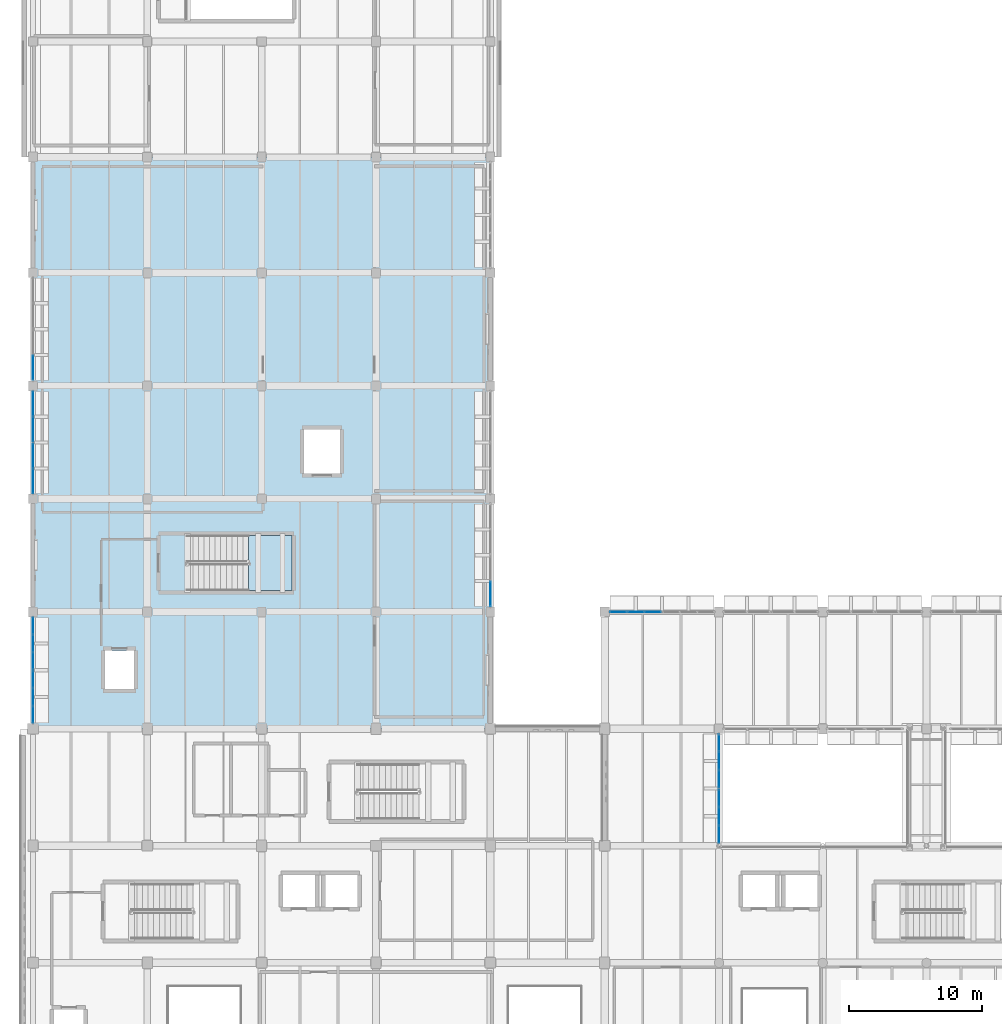
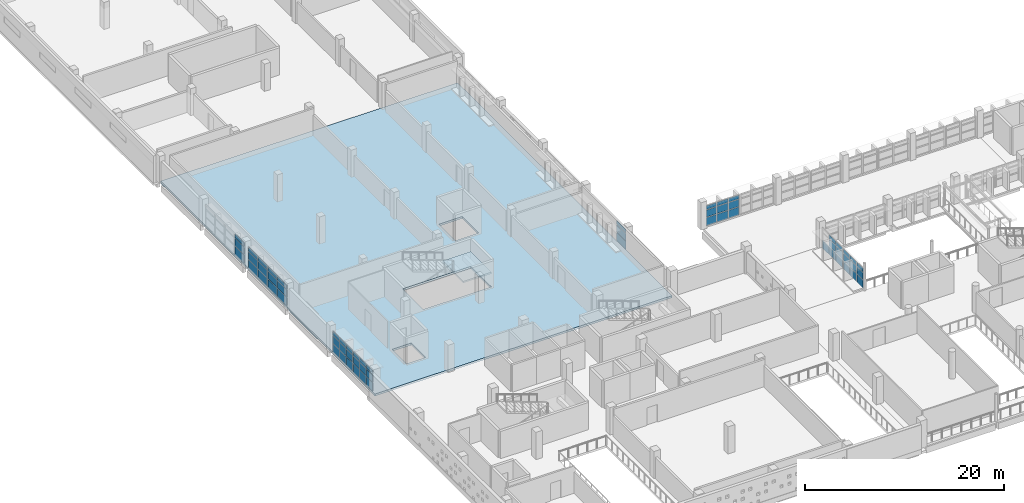
# One storey, part 46 of 75: 61 plates, 2 slabs, 10 elements without a shape of their own.
"""IFC4 building model written with IfcOpenShell, lengths in metres."""

from ifc_helpers import new_model, si_unit, direction, frame, origin, origin_2d, place, context, subcontext, project, spatial, polyline, rectangle, outline, extrude, material, layer, layer_set, type_object, element, aggregate, save


model = new_model("IFC4")

# Units and contexts
model_context = context("Model", 3, precision=1e-05, world=origin(), true_north=direction((0.0, 1.0)))
body_context = subcontext(model_context, "Body", "Model", "MODEL_VIEW")
ifc_project = project(units=[si_unit("LENGTHUNIT", "METRE"), si_unit("AREAUNIT", "SQUARE_METRE"), si_unit("VOLUMEUNIT", "CUBIC_METRE"), si_unit("PLANEANGLEUNIT", "RADIAN"), si_unit("MASSUNIT", "GRAM", prefix="KILO")], contexts=[model_context])

# Site, building, storey
site_placement = place(None, origin())
site = spatial("IfcSite", under=ifc_project, at=site_placement, CompositionType="ELEMENT")
building_placement = place(site_placement, origin())
building = spatial("IfcBuilding", under=site, at=building_placement, Name="Varnakota Cinema and Media Centre", CompositionType="ELEMENT")
storey_placement = place(building_placement, frame((0.0, 0.0, 8.39990234375)))
storey = spatial("IfcBuildingStorey", under=building, at=storey_placement, Name="L02", CompositionType="ELEMENT", Elevation=8.39990234375)

# Curtain wall, plates
ifc_material_1 = material(Name="Thermally broken anodised aluminium AW-6063", Category="aluminium")
curtain_wall_type_1 = type_object("IfcCurtainWallType", Name="CW-STD-394x258", PredefinedType="USERDEFINED", material=ifc_material_1)
curtain_wall_1_placement = place(storey_placement, origin())
curtain_wall_1 = element("IfcCurtainWall", 1, at=curtain_wall_1_placement, inside=storey, type_object=curtain_wall_type_1, Name="L02 curtain wall CW-L02-LINK-N-01-1", ObjectType="UNITISED CURTAIN WALL", PredefinedType="USERDEFINED")
ifc_material_2 = material(Name="Laminated solar-control double glazing", Category="glass")
ifc_layer_1 = layer(ifc_material_2, 0.028076171875)
ifc_layer_set_1 = layer_set([ifc_layer_1], Name="Laminated solar-control double glazing")
plate_type = type_object("IfcPlateType", Name="CWP-DGU-28", PredefinedType="CURTAIN_PANEL", material=ifc_layer_set_1)
plate_1_placement = place(storey_placement, frame((44.0234375, 44.0, 0.065185546875), z_axis=(0.0, 0.0, 1.0), x_axis=(1.0, 0.0, 0.0)))
plate_1 = element("IfcPlate", 2, at=plate_1_placement, type_object=plate_type, Name="CW30 panel 1.1", PredefinedType="CURTAIN_PANEL", context=body_context, shape_type="SweptSolid", body=[
    extrude(rectangle(XDim=1.216552734375, YDim=0.028076171875, at=origin_2d()), origin(), (0.0, 0.0, 1.0), 0.98388671875),
])
plate_2_placement = place(storey_placement, frame((44.0234375, 44.0, 1.1142578125), z_axis=(0.0, 0.0, 1.0), x_axis=(1.0, 0.0, 0.0)))
plate_2 = element("IfcPlate", 3, at=plate_2_placement, type_object=plate_type, Name="CW30 panel 1.2", PredefinedType="CURTAIN_PANEL", context=body_context, shape_type="SweptSolid", body=[
    extrude(rectangle(XDim=1.216552734375, YDim=0.028076171875, at=origin_2d()), origin(), (0.0, 0.0, 1.0), 0.862060546875),
])
plate_3_placement = place(storey_placement, frame((44.0234375, 44.0, 2.041015625), z_axis=(0.0, 0.0, 1.0), x_axis=(1.0, 0.0, 0.0)))
plate_3 = element("IfcPlate", 4, at=plate_3_placement, type_object=plate_type, Name="CW30 panel 1.3", PredefinedType="CURTAIN_PANEL", context=body_context, shape_type="SweptSolid", body=[
    extrude(rectangle(XDim=1.216552734375, YDim=0.028076171875, at=origin_2d()), origin(), (0.0, 0.0, 1.0), 0.468994140625),
])
plate_4_placement = place(storey_placement, frame((45.3212890625, 44.0, 0.065185546875), z_axis=(0.0, 0.0, 1.0), x_axis=(1.0, 0.0, 0.0)))
plate_4 = element("IfcPlate", 5, at=plate_4_placement, type_object=plate_type, Name="CW30 panel 2.1", PredefinedType="CURTAIN_PANEL", context=body_context, shape_type="SweptSolid", body=[
    extrude(rectangle(XDim=1.249267578125, YDim=0.028076171875, at=origin_2d()), origin(), (0.0, 0.0, 1.0), 0.98388671875),
])
plate_5_placement = place(storey_placement, frame((45.3212890625, 44.0, 1.1142578125), z_axis=(0.0, 0.0, 1.0), x_axis=(1.0, 0.0, 0.0)))
plate_5 = element("IfcPlate", 6, at=plate_5_placement, type_object=plate_type, Name="CW30 panel 2.2", PredefinedType="CURTAIN_PANEL", context=body_context, shape_type="SweptSolid", body=[
    extrude(rectangle(XDim=1.249267578125, YDim=0.028076171875, at=origin_2d()), origin(), (0.0, 0.0, 1.0), 0.862060546875),
])
plate_6_placement = place(storey_placement, frame((45.3212890625, 44.0, 2.041015625), z_axis=(0.0, 0.0, 1.0), x_axis=(1.0, 0.0, 0.0)))
plate_6 = element("IfcPlate", 7, at=plate_6_placement, type_object=plate_type, Name="CW30 panel 2.3", PredefinedType="CURTAIN_PANEL", context=body_context, shape_type="SweptSolid", body=[
    extrude(rectangle(XDim=1.249267578125, YDim=0.028076171875, at=origin_2d()), origin(), (0.0, 0.0, 1.0), 0.468994140625),
])
plate_7_placement = place(storey_placement, frame((46.619140625, 44.0, 0.065185546875), z_axis=(0.0, 0.0, 1.0), x_axis=(1.0, 0.0, 0.0)))
plate_7 = element("IfcPlate", 8, at=plate_7_placement, type_object=plate_type, Name="CW30 panel 3.1", PredefinedType="CURTAIN_PANEL", context=body_context, shape_type="SweptSolid", body=[
    extrude(rectangle(XDim=1.216552734375, YDim=0.028076171875, at=origin_2d()), origin(), (0.0, 0.0, 1.0), 0.98388671875),
])
plate_8_placement = place(storey_placement, frame((46.619140625, 44.0, 1.1142578125), z_axis=(0.0, 0.0, 1.0), x_axis=(1.0, 0.0, 0.0)))
plate_8 = element("IfcPlate", 9, at=plate_8_placement, type_object=plate_type, Name="CW30 panel 3.2", PredefinedType="CURTAIN_PANEL", context=body_context, shape_type="SweptSolid", body=[
    extrude(rectangle(XDim=1.216552734375, YDim=0.028076171875, at=origin_2d()), origin(), (0.0, 0.0, 1.0), 0.862060546875),
])
plate_9_placement = place(storey_placement, frame((46.619140625, 44.0, 2.041015625), z_axis=(0.0, 0.0, 1.0), x_axis=(1.0, 0.0, 0.0)))
plate_9 = element("IfcPlate", 10, at=plate_9_placement, type_object=plate_type, Name="CW30 panel 3.3", PredefinedType="CURTAIN_PANEL", context=body_context, shape_type="SweptSolid", body=[
    extrude(rectangle(XDim=1.216552734375, YDim=0.028076171875, at=origin_2d()), origin(), (0.0, 0.0, 1.0), 0.468994140625),
])
aggregate(curtain_wall_1, [plate_1, plate_2, plate_3, plate_4, plate_5, plate_6, plate_7, plate_8, plate_9])

ifc_material_3 = material(Name="Thermally broken anodised aluminium AW-6063", Category="aluminium")
curtain_wall_type_2 = type_object("IfcCurtainWallType", Name="CW-STD-412x258", PredefinedType="USERDEFINED", material=ifc_material_3)
curtain_wall_2_placement = place(storey_placement, origin())
curtain_wall_2 = element("IfcCurtainWall", 11, at=curtain_wall_2_placement, inside=storey, type_object=curtain_wall_type_2, Name="L02 curtain wall CW-L02-WLINK-E-01-1", ObjectType="UNITISED CURTAIN WALL", PredefinedType="USERDEFINED")
plate_10_placement = place(storey_placement, frame((51.60009765625, 27.265625, 0.065185546875), z_axis=(0.0, 0.0, 1.0), x_axis=(0.0, 1.0, 0.0)))
plate_10 = element("IfcPlate", 12, at=plate_10_placement, type_object=plate_type, Name="CW35 panel 1.1", PredefinedType="CURTAIN_PANEL", context=body_context, shape_type="SweptSolid", body=[
    extrude(rectangle(XDim=1.277099609375, YDim=0.028076171875, at=origin_2d()), origin(), (0.0, 0.0, 1.0), 0.98388671875),
])
plate_11_placement = place(storey_placement, frame((51.60009765625, 27.265625, 1.1142578125), z_axis=(0.0, 0.0, 1.0), x_axis=(0.0, 1.0, 0.0)))
plate_11 = element("IfcPlate", 13, at=plate_11_placement, type_object=plate_type, Name="CW35 panel 1.2", PredefinedType="CURTAIN_PANEL", context=body_context, shape_type="SweptSolid", body=[
    extrude(rectangle(XDim=1.277099609375, YDim=0.028076171875, at=origin_2d()), origin(), (0.0, 0.0, 1.0), 0.862060546875),
])
plate_12_placement = place(storey_placement, frame((51.60009765625, 27.265625, 2.041015625), z_axis=(0.0, 0.0, 1.0), x_axis=(0.0, 1.0, 0.0)))
plate_12 = element("IfcPlate", 14, at=plate_12_placement, type_object=plate_type, Name="CW35 panel 1.3", PredefinedType="CURTAIN_PANEL", context=body_context, shape_type="SweptSolid", body=[
    extrude(rectangle(XDim=1.277099609375, YDim=0.028076171875, at=origin_2d()), origin(), (0.0, 0.0, 1.0), 0.468994140625),
])
plate_13_placement = place(storey_placement, frame((51.60009765625, 28.6240234375, 0.065185546875), z_axis=(0.0, 0.0, 1.0), x_axis=(0.0, 1.0, 0.0)))
plate_13 = element("IfcPlate", 15, at=plate_13_placement, type_object=plate_type, Name="CW35 panel 2.1", PredefinedType="CURTAIN_PANEL", context=body_context, shape_type="SweptSolid", body=[
    extrude(rectangle(XDim=1.3095703125, YDim=0.028076171875, at=origin_2d()), origin(), (0.0, 0.0, 1.0), 0.98388671875),
])
plate_14_placement = place(storey_placement, frame((51.60009765625, 28.6240234375, 1.1142578125), z_axis=(0.0, 0.0, 1.0), x_axis=(0.0, 1.0, 0.0)))
plate_14 = element("IfcPlate", 16, at=plate_14_placement, type_object=plate_type, Name="CW35 panel 2.2", PredefinedType="CURTAIN_PANEL", context=body_context, shape_type="SweptSolid", body=[
    extrude(rectangle(XDim=1.3095703125, YDim=0.028076171875, at=origin_2d()), origin(), (0.0, 0.0, 1.0), 0.862060546875),
])
plate_15_placement = place(storey_placement, frame((51.60009765625, 28.6240234375, 2.041015625), z_axis=(0.0, 0.0, 1.0), x_axis=(0.0, 1.0, 0.0)))
plate_15 = element("IfcPlate", 17, at=plate_15_placement, type_object=plate_type, Name="CW35 panel 2.3", PredefinedType="CURTAIN_PANEL", context=body_context, shape_type="SweptSolid", body=[
    extrude(rectangle(XDim=1.3095703125, YDim=0.028076171875, at=origin_2d()), origin(), (0.0, 0.0, 1.0), 0.468994140625),
])
plate_16_placement = place(storey_placement, frame((51.60009765625, 29.982421875, 0.065185546875), z_axis=(0.0, 0.0, 1.0), x_axis=(0.0, 1.0, 0.0)))
plate_16 = element("IfcPlate", 18, at=plate_16_placement, type_object=plate_type, Name="CW35 panel 3.1", PredefinedType="CURTAIN_PANEL", context=body_context, shape_type="SweptSolid", body=[
    extrude(rectangle(XDim=1.277099609375, YDim=0.028076171875, at=origin_2d()), origin(), (0.0, 0.0, 1.0), 0.98388671875),
])
plate_17_placement = place(storey_placement, frame((51.60009765625, 29.982421875, 1.1142578125), z_axis=(0.0, 0.0, 1.0), x_axis=(0.0, 1.0, 0.0)))
plate_17 = element("IfcPlate", 19, at=plate_17_placement, type_object=plate_type, Name="CW35 panel 3.2", PredefinedType="CURTAIN_PANEL", context=body_context, shape_type="SweptSolid", body=[
    extrude(rectangle(XDim=1.277099609375, YDim=0.028076171875, at=origin_2d()), origin(), (0.0, 0.0, 1.0), 0.862060546875),
])
plate_18_placement = place(storey_placement, frame((51.60009765625, 29.982421875, 2.041015625), z_axis=(0.0, 0.0, 1.0), x_axis=(0.0, 1.0, 0.0)))
plate_18 = element("IfcPlate", 20, at=plate_18_placement, type_object=plate_type, Name="CW35 panel 3.3", PredefinedType="CURTAIN_PANEL", context=body_context, shape_type="SweptSolid", body=[
    extrude(rectangle(XDim=1.277099609375, YDim=0.028076171875, at=origin_2d()), origin(), (0.0, 0.0, 1.0), 0.468994140625),
])
aggregate(curtain_wall_2, [plate_10, plate_11, plate_12, plate_13, plate_14, plate_15, plate_16, plate_17, plate_18])

curtain_wall_3_placement = place(storey_placement, origin())
curtain_wall_3 = element("IfcCurtainWall", 21, at=curtain_wall_3_placement, inside=storey, type_object=curtain_wall_type_2, Name="L02 curtain wall CW-L02-WLINK-E-01-2", ObjectType="UNITISED CURTAIN WALL", PredefinedType="USERDEFINED")
plate_19_placement = place(storey_placement, frame((51.60009765625, 31.4296875, 0.065185546875), z_axis=(0.0, 0.0, 1.0), x_axis=(0.0, 1.0, 0.0)))
plate_19 = element("IfcPlate", 22, at=plate_19_placement, type_object=plate_type, Name="CW35 panel 1.1", PredefinedType="CURTAIN_PANEL", context=body_context, shape_type="SweptSolid", body=[
    extrude(rectangle(XDim=1.277099609375, YDim=0.028076171875, at=origin_2d()), origin(), (0.0, 0.0, 1.0), 0.98388671875),
])
plate_20_placement = place(storey_placement, frame((51.60009765625, 31.4296875, 1.1142578125), z_axis=(0.0, 0.0, 1.0), x_axis=(0.0, 1.0, 0.0)))
plate_20 = element("IfcPlate", 23, at=plate_20_placement, type_object=plate_type, Name="CW35 panel 1.2", PredefinedType="CURTAIN_PANEL", context=body_context, shape_type="SweptSolid", body=[
    extrude(rectangle(XDim=1.277099609375, YDim=0.028076171875, at=origin_2d()), origin(), (0.0, 0.0, 1.0), 0.862060546875),
])
plate_21_placement = place(storey_placement, frame((51.60009765625, 31.4296875, 2.041015625), z_axis=(0.0, 0.0, 1.0), x_axis=(0.0, 1.0, 0.0)))
plate_21 = element("IfcPlate", 24, at=plate_21_placement, type_object=plate_type, Name="CW35 panel 1.3", PredefinedType="CURTAIN_PANEL", context=body_context, shape_type="SweptSolid", body=[
    extrude(rectangle(XDim=1.277099609375, YDim=0.028076171875, at=origin_2d()), origin(), (0.0, 0.0, 1.0), 0.468994140625),
])
plate_22_placement = place(storey_placement, frame((51.60009765625, 32.7880859375, 0.065185546875), z_axis=(0.0, 0.0, 1.0), x_axis=(0.0, 1.0, 0.0)))
plate_22 = element("IfcPlate", 25, at=plate_22_placement, type_object=plate_type, Name="CW35 panel 2.1", PredefinedType="CURTAIN_PANEL", context=body_context, shape_type="SweptSolid", body=[
    extrude(rectangle(XDim=1.3095703125, YDim=0.028076171875, at=origin_2d()), origin(), (0.0, 0.0, 1.0), 0.98388671875),
])
plate_23_placement = place(storey_placement, frame((51.60009765625, 32.7880859375, 1.1142578125), z_axis=(0.0, 0.0, 1.0), x_axis=(0.0, 1.0, 0.0)))
plate_23 = element("IfcPlate", 26, at=plate_23_placement, type_object=plate_type, Name="CW35 panel 2.2", PredefinedType="CURTAIN_PANEL", context=body_context, shape_type="SweptSolid", body=[
    extrude(rectangle(XDim=1.3095703125, YDim=0.028076171875, at=origin_2d()), origin(), (0.0, 0.0, 1.0), 0.862060546875),
])
plate_24_placement = place(storey_placement, frame((51.60009765625, 32.7880859375, 2.041015625), z_axis=(0.0, 0.0, 1.0), x_axis=(0.0, 1.0, 0.0)))
plate_24 = element("IfcPlate", 27, at=plate_24_placement, type_object=plate_type, Name="CW35 panel 2.3", PredefinedType="CURTAIN_PANEL", context=body_context, shape_type="SweptSolid", body=[
    extrude(rectangle(XDim=1.3095703125, YDim=0.028076171875, at=origin_2d()), origin(), (0.0, 0.0, 1.0), 0.468994140625),
])
plate_25_placement = place(storey_placement, frame((51.60009765625, 34.146484375, 0.065185546875), z_axis=(0.0, 0.0, 1.0), x_axis=(0.0, 1.0, 0.0)))
plate_25 = element("IfcPlate", 28, at=plate_25_placement, type_object=plate_type, Name="CW35 panel 3.1", PredefinedType="CURTAIN_PANEL", context=body_context, shape_type="SweptSolid", body=[
    extrude(rectangle(XDim=1.277099609375, YDim=0.028076171875, at=origin_2d()), origin(), (0.0, 0.0, 1.0), 0.98388671875),
])
aggregate(curtain_wall_3, [plate_19, plate_20, plate_21, plate_22, plate_23, plate_24, plate_25])

ifc_material_4 = material(Name="Thermally broken anodised aluminium AW-6063", Category="aluminium")
curtain_wall_type_3 = type_object("IfcCurtainWallType", Name="CW-STD-387x258", PredefinedType="USERDEFINED", material=ifc_material_4)
curtain_wall_4_placement = place(storey_placement, origin())
curtain_wall_4 = element("IfcCurtainWall", 29, at=curtain_wall_4_placement, inside=storey, type_object=curtain_wall_type_3, Name="L02 curtain wall CW-L02-V5-E-02-1", ObjectType="UNITISED CURTAIN WALL", PredefinedType="USERDEFINED")
plate_26_placement = place(storey_placement, frame((34.39990234375, 45.358154296875, 0.065185546875), z_axis=(0.0, 0.0, 1.0), x_axis=(0.0, 1.0, 0.0)))
plate_26 = element("IfcPlate", 30, at=plate_26_placement, type_object=plate_type, Name="CW36 panel 1.1", PredefinedType="CURTAIN_PANEL", context=body_context, shape_type="SweptSolid", body=[
    extrude(rectangle(XDim=1.836181640625, YDim=0.028076171875, at=origin_2d()), origin(), (0.0, 0.0, 1.0), 0.98388671875),
])
plate_27_placement = place(storey_placement, frame((34.39990234375, 45.358154296875, 1.1142578125), z_axis=(0.0, 0.0, 1.0), x_axis=(0.0, 1.0, 0.0)))
plate_27 = element("IfcPlate", 31, at=plate_27_placement, type_object=plate_type, Name="CW36 panel 1.2", PredefinedType="CURTAIN_PANEL", context=body_context, shape_type="SweptSolid", body=[
    extrude(rectangle(XDim=1.836181640625, YDim=0.028076171875, at=origin_2d()), origin(), (0.0, 0.0, 1.0), 0.862060546875),
])
plate_28_placement = place(storey_placement, frame((34.39990234375, 45.358154296875, 2.041015625), z_axis=(0.0, 0.0, 1.0), x_axis=(0.0, 1.0, 0.0)))
plate_28 = element("IfcPlate", 32, at=plate_28_placement, type_object=plate_type, Name="CW36 panel 1.3", PredefinedType="CURTAIN_PANEL", context=body_context, shape_type="SweptSolid", body=[
    extrude(rectangle(XDim=1.836181640625, YDim=0.028076171875, at=origin_2d()), origin(), (0.0, 0.0, 1.0), 0.468994140625),
])
aggregate(curtain_wall_4, [plate_26, plate_27, plate_28])

ifc_material_5 = material(Name="Thermally broken anodised aluminium AW-6063", Category="aluminium")
curtain_wall_type_4 = type_object("IfcCurtainWallType", Name="CW-STD-387x268", PredefinedType="USERDEFINED", material=ifc_material_5)
curtain_wall_5_placement = place(storey_placement, origin())
curtain_wall_5 = element("IfcCurtainWall", 33, at=curtain_wall_5_placement, inside=storey, type_object=curtain_wall_type_4, Name="L02 curtain wall CW-L02-V5-W-02-2", ObjectType="UNITISED CURTAIN WALL", PredefinedType="USERDEFINED")
plate_29_placement = place(storey_placement, frame((0.0, 62.358154296875, 0.065185546875), z_axis=(0.0, 0.0, 1.0), x_axis=(0.0, -1.0, 0.0)))
plate_29 = element("IfcPlate", 34, at=plate_29_placement, type_object=plate_type, Name="CW39 panel 2.1", PredefinedType="CURTAIN_PANEL", context=body_context, shape_type="SweptSolid", body=[
    extrude(rectangle(XDim=1.836181640625, YDim=0.028076171875, at=origin_2d()), origin(), (0.0, 0.0, 1.0), 1.02587890625),
])
plate_30_placement = place(storey_placement, frame((0.0, 62.358154296875, 1.156005859375), z_axis=(0.0, 0.0, 1.0), x_axis=(0.0, -1.0, 0.0)))
plate_30 = element("IfcPlate", 35, at=plate_30_placement, type_object=plate_type, Name="CW39 panel 2.2", PredefinedType="CURTAIN_PANEL", context=body_context, shape_type="SweptSolid", body=[
    extrude(rectangle(XDim=1.836181640625, YDim=0.028076171875, at=origin_2d()), origin(), (0.0, 0.0, 1.0), 0.89794921875),
])
plate_31_placement = place(storey_placement, frame((0.0, 62.358154296875, 2.119140625), z_axis=(0.0, 0.0, 1.0), x_axis=(0.0, -1.0, 0.0)))
plate_31 = element("IfcPlate", 36, at=plate_31_placement, type_object=plate_type, Name="CW39 panel 2.3", PredefinedType="CURTAIN_PANEL", context=body_context, shape_type="SweptSolid", body=[
    extrude(rectangle(XDim=1.836181640625, YDim=0.028076171875, at=origin_2d()), origin(), (0.0, 0.0, 1.0), 0.490966796875),
])
aggregate(curtain_wall_5, [plate_29, plate_30, plate_31])

curtain_wall_6_placement = place(storey_placement, origin())
curtain_wall_6 = element("IfcCurtainWall", 37, at=curtain_wall_6_placement, inside=storey, type_object=curtain_wall_type_4, Name="L02 curtain wall CW-L02-V5-W-03-1", ObjectType="UNITISED CURTAIN WALL", PredefinedType="USERDEFINED")
plate_32_placement = place(storey_placement, frame((0.0, 59.641845703125, 0.065185546875), z_axis=(0.0, 0.0, 1.0), x_axis=(0.0, -1.0, 0.0)))
plate_32 = element("IfcPlate", 38, at=plate_32_placement, type_object=plate_type, Name="CW39 panel 1.1", PredefinedType="CURTAIN_PANEL", context=body_context, shape_type="SweptSolid", body=[
    extrude(rectangle(XDim=1.836181640625, YDim=0.028076171875, at=origin_2d()), origin(), (0.0, 0.0, 1.0), 1.02587890625),
])
plate_33_placement = place(storey_placement, frame((0.0, 59.641845703125, 1.156005859375), z_axis=(0.0, 0.0, 1.0), x_axis=(0.0, -1.0, 0.0)))
plate_33 = element("IfcPlate", 39, at=plate_33_placement, type_object=plate_type, Name="CW39 panel 1.2", PredefinedType="CURTAIN_PANEL", context=body_context, shape_type="SweptSolid", body=[
    extrude(rectangle(XDim=1.836181640625, YDim=0.028076171875, at=origin_2d()), origin(), (0.0, 0.0, 1.0), 0.89794921875),
])
plate_34_placement = place(storey_placement, frame((0.0, 59.641845703125, 2.119140625), z_axis=(0.0, 0.0, 1.0), x_axis=(0.0, -1.0, 0.0)))
plate_34 = element("IfcPlate", 40, at=plate_34_placement, type_object=plate_type, Name="CW39 panel 1.3", PredefinedType="CURTAIN_PANEL", context=body_context, shape_type="SweptSolid", body=[
    extrude(rectangle(XDim=1.836181640625, YDim=0.028076171875, at=origin_2d()), origin(), (0.0, 0.0, 1.0), 0.490966796875),
])
plate_35_placement = place(storey_placement, frame((0.0, 57.74072265625, 0.065185546875), z_axis=(0.0, 0.0, 1.0), x_axis=(0.0, -1.0, 0.0)))
plate_35 = element("IfcPlate", 41, at=plate_35_placement, type_object=plate_type, Name="CW39 panel 2.1", PredefinedType="CURTAIN_PANEL", context=body_context, shape_type="SweptSolid", body=[
    extrude(rectangle(XDim=1.836181640625, YDim=0.028076171875, at=origin_2d()), origin(), (0.0, 0.0, 1.0), 1.02587890625),
])
plate_36_placement = place(storey_placement, frame((0.0, 57.74072265625, 1.156005859375), z_axis=(0.0, 0.0, 1.0), x_axis=(0.0, -1.0, 0.0)))
plate_36 = element("IfcPlate", 42, at=plate_36_placement, type_object=plate_type, Name="CW39 panel 2.2", PredefinedType="CURTAIN_PANEL", context=body_context, shape_type="SweptSolid", body=[
    extrude(rectangle(XDim=1.836181640625, YDim=0.028076171875, at=origin_2d()), origin(), (0.0, 0.0, 1.0), 0.89794921875),
])
plate_37_placement = place(storey_placement, frame((0.0, 57.74072265625, 2.119140625), z_axis=(0.0, 0.0, 1.0), x_axis=(0.0, -1.0, 0.0)))
plate_37 = element("IfcPlate", 43, at=plate_37_placement, type_object=plate_type, Name="CW39 panel 2.3", PredefinedType="CURTAIN_PANEL", context=body_context, shape_type="SweptSolid", body=[
    extrude(rectangle(XDim=1.836181640625, YDim=0.028076171875, at=origin_2d()), origin(), (0.0, 0.0, 1.0), 0.490966796875),
])
aggregate(curtain_wall_6, [plate_32, plate_33, plate_34, plate_35, plate_36, plate_37])

curtain_wall_7_placement = place(storey_placement, origin())
curtain_wall_7 = element("IfcCurtainWall", 44, at=curtain_wall_7_placement, inside=storey, type_object=curtain_wall_type_4, Name="L02 curtain wall CW-L02-V5-W-03-2", ObjectType="UNITISED CURTAIN WALL", PredefinedType="USERDEFINED")
plate_38_placement = place(storey_placement, frame((0.0, 55.734375, 0.065185546875), z_axis=(0.0, 0.0, 1.0), x_axis=(0.0, -1.0, 0.0)))
plate_38 = element("IfcPlate", 45, at=plate_38_placement, type_object=plate_type, Name="CW39 panel 1.1", PredefinedType="CURTAIN_PANEL", context=body_context, shape_type="SweptSolid", body=[
    extrude(rectangle(XDim=1.836181640625, YDim=0.028076171875, at=origin_2d()), origin(), (0.0, 0.0, 1.0), 1.02587890625),
])
plate_39_placement = place(storey_placement, frame((0.0, 55.734375, 1.156005859375), z_axis=(0.0, 0.0, 1.0), x_axis=(0.0, -1.0, 0.0)))
plate_39 = element("IfcPlate", 46, at=plate_39_placement, type_object=plate_type, Name="CW39 panel 1.2", PredefinedType="CURTAIN_PANEL", context=body_context, shape_type="SweptSolid", body=[
    extrude(rectangle(XDim=1.836181640625, YDim=0.028076171875, at=origin_2d()), origin(), (0.0, 0.0, 1.0), 0.89794921875),
])
plate_40_placement = place(storey_placement, frame((0.0, 55.734375, 2.119140625), z_axis=(0.0, 0.0, 1.0), x_axis=(0.0, -1.0, 0.0)))
plate_40 = element("IfcPlate", 47, at=plate_40_placement, type_object=plate_type, Name="CW39 panel 1.3", PredefinedType="CURTAIN_PANEL", context=body_context, shape_type="SweptSolid", body=[
    extrude(rectangle(XDim=1.836181640625, YDim=0.028076171875, at=origin_2d()), origin(), (0.0, 0.0, 1.0), 0.490966796875),
])
plate_41_placement = place(storey_placement, frame((0.0, 53.8330078125, 0.065185546875), z_axis=(0.0, 0.0, 1.0), x_axis=(0.0, -1.0, 0.0)))
plate_41 = element("IfcPlate", 48, at=plate_41_placement, type_object=plate_type, Name="CW39 panel 2.1", PredefinedType="CURTAIN_PANEL", context=body_context, shape_type="SweptSolid", body=[
    extrude(rectangle(XDim=1.836181640625, YDim=0.028076171875, at=origin_2d()), origin(), (0.0, 0.0, 1.0), 1.02587890625),
])
plate_42_placement = place(storey_placement, frame((0.0, 53.8330078125, 1.156005859375), z_axis=(0.0, 0.0, 1.0), x_axis=(0.0, -1.0, 0.0)))
plate_42 = element("IfcPlate", 49, at=plate_42_placement, type_object=plate_type, Name="CW39 panel 2.2", PredefinedType="CURTAIN_PANEL", context=body_context, shape_type="SweptSolid", body=[
    extrude(rectangle(XDim=1.836181640625, YDim=0.028076171875, at=origin_2d()), origin(), (0.0, 0.0, 1.0), 0.89794921875),
])
plate_43_placement = place(storey_placement, frame((0.0, 53.8330078125, 2.119140625), z_axis=(0.0, 0.0, 1.0), x_axis=(0.0, -1.0, 0.0)))
plate_43 = element("IfcPlate", 50, at=plate_43_placement, type_object=plate_type, Name="CW39 panel 2.3", PredefinedType="CURTAIN_PANEL", context=body_context, shape_type="SweptSolid", body=[
    extrude(rectangle(XDim=1.836181640625, YDim=0.028076171875, at=origin_2d()), origin(), (0.0, 0.0, 1.0), 0.490966796875),
])
aggregate(curtain_wall_7, [plate_38, plate_39, plate_40, plate_41, plate_42, plate_43])

ifc_material_6 = material(Name="Thermally broken anodised aluminium AW-6063", Category="aluminium")
curtain_wall_type_5 = type_object("IfcCurtainWallType", Name="CW-STD-399x268", PredefinedType="USERDEFINED", material=ifc_material_6)
curtain_wall_8_placement = place(storey_placement, origin())
curtain_wall_8 = element("IfcCurtainWall", 51, at=curtain_wall_8_placement, inside=storey, type_object=curtain_wall_type_5, Name="L02 curtain wall CW-L02-V5-W-05-1", ObjectType="UNITISED CURTAIN WALL", PredefinedType="USERDEFINED")
plate_44_placement = place(storey_placement, frame((0.0, 42.943359375, 0.065185546875), z_axis=(0.0, 0.0, 1.0), x_axis=(0.0, -1.0, 0.0)))
plate_44 = element("IfcPlate", 52, at=plate_44_placement, type_object=plate_type, Name="CW40 panel 1.1", PredefinedType="CURTAIN_PANEL", context=body_context, shape_type="SweptSolid", body=[
    extrude(rectangle(XDim=1.2333984375, YDim=0.028076171875, at=origin_2d()), origin(), (0.0, 0.0, 1.0), 1.02587890625),
])
plate_45_placement = place(storey_placement, frame((0.0, 42.943359375, 1.156005859375), z_axis=(0.0, 0.0, 1.0), x_axis=(0.0, -1.0, 0.0)))
plate_45 = element("IfcPlate", 53, at=plate_45_placement, type_object=plate_type, Name="CW40 panel 1.2", PredefinedType="CURTAIN_PANEL", context=body_context, shape_type="SweptSolid", body=[
    extrude(rectangle(XDim=1.2333984375, YDim=0.028076171875, at=origin_2d()), origin(), (0.0, 0.0, 1.0), 0.89794921875),
])
plate_46_placement = place(storey_placement, frame((0.0, 42.943359375, 2.119140625), z_axis=(0.0, 0.0, 1.0), x_axis=(0.0, -1.0, 0.0)))
plate_46 = element("IfcPlate", 54, at=plate_46_placement, type_object=plate_type, Name="CW40 panel 1.3", PredefinedType="CURTAIN_PANEL", context=body_context, shape_type="SweptSolid", body=[
    extrude(rectangle(XDim=1.2333984375, YDim=0.028076171875, at=origin_2d()), origin(), (0.0, 0.0, 1.0), 0.490966796875),
])
plate_47_placement = place(storey_placement, frame((0.0, 41.628662109375, 0.065185546875), z_axis=(0.0, 0.0, 1.0), x_axis=(0.0, -1.0, 0.0)))
plate_47 = element("IfcPlate", 55, at=plate_47_placement, type_object=plate_type, Name="CW40 panel 2.1", PredefinedType="CURTAIN_PANEL", context=body_context, shape_type="SweptSolid", body=[
    extrude(rectangle(XDim=1.265869140625, YDim=0.028076171875, at=origin_2d()), origin(), (0.0, 0.0, 1.0), 1.02587890625),
])
plate_48_placement = place(storey_placement, frame((0.0, 41.628662109375, 1.156005859375), z_axis=(0.0, 0.0, 1.0), x_axis=(0.0, -1.0, 0.0)))
plate_48 = element("IfcPlate", 56, at=plate_48_placement, type_object=plate_type, Name="CW40 panel 2.2", PredefinedType="CURTAIN_PANEL", context=body_context, shape_type="SweptSolid", body=[
    extrude(rectangle(XDim=1.265869140625, YDim=0.028076171875, at=origin_2d()), origin(), (0.0, 0.0, 1.0), 0.89794921875),
])
plate_49_placement = place(storey_placement, frame((0.0, 41.628662109375, 2.119140625), z_axis=(0.0, 0.0, 1.0), x_axis=(0.0, -1.0, 0.0)))
plate_49 = element("IfcPlate", 57, at=plate_49_placement, type_object=plate_type, Name="CW40 panel 2.3", PredefinedType="CURTAIN_PANEL", context=body_context, shape_type="SweptSolid", body=[
    extrude(rectangle(XDim=1.265869140625, YDim=0.028076171875, at=origin_2d()), origin(), (0.0, 0.0, 1.0), 0.490966796875),
])
plate_50_placement = place(storey_placement, frame((0.0, 40.314208984375, 0.065185546875), z_axis=(0.0, 0.0, 1.0), x_axis=(0.0, -1.0, 0.0)))
plate_50 = element("IfcPlate", 58, at=plate_50_placement, type_object=plate_type, Name="CW40 panel 3.1", PredefinedType="CURTAIN_PANEL", context=body_context, shape_type="SweptSolid", body=[
    extrude(rectangle(XDim=1.2333984375, YDim=0.028076171875, at=origin_2d()), origin(), (0.0, 0.0, 1.0), 1.02587890625),
])
plate_51_placement = place(storey_placement, frame((0.0, 40.314208984375, 1.156005859375), z_axis=(0.0, 0.0, 1.0), x_axis=(0.0, -1.0, 0.0)))
plate_51 = element("IfcPlate", 59, at=plate_51_placement, type_object=plate_type, Name="CW40 panel 3.2", PredefinedType="CURTAIN_PANEL", context=body_context, shape_type="SweptSolid", body=[
    extrude(rectangle(XDim=1.2333984375, YDim=0.028076171875, at=origin_2d()), origin(), (0.0, 0.0, 1.0), 0.89794921875),
])
plate_52_placement = place(storey_placement, frame((0.0, 40.314208984375, 2.119140625), z_axis=(0.0, 0.0, 1.0), x_axis=(0.0, -1.0, 0.0)))
plate_52 = element("IfcPlate", 60, at=plate_52_placement, type_object=plate_type, Name="CW40 panel 3.3", PredefinedType="CURTAIN_PANEL", context=body_context, shape_type="SweptSolid", body=[
    extrude(rectangle(XDim=1.2333984375, YDim=0.028076171875, at=origin_2d()), origin(), (0.0, 0.0, 1.0), 0.490966796875),
])
aggregate(curtain_wall_8, [plate_44, plate_45, plate_46, plate_47, plate_48, plate_49, plate_50, plate_51, plate_52])

curtain_wall_9_placement = place(storey_placement, origin())
curtain_wall_9 = element("IfcCurtainWall", 61, at=curtain_wall_9_placement, inside=storey, type_object=curtain_wall_type_5, Name="L02 curtain wall CW-L02-V5-W-05-2", ObjectType="UNITISED CURTAIN WALL", PredefinedType="USERDEFINED")
plate_53_placement = place(storey_placement, frame((0.0, 38.910888671875, 0.065185546875), z_axis=(0.0, 0.0, 1.0), x_axis=(0.0, -1.0, 0.0)))
plate_53 = element("IfcPlate", 62, at=plate_53_placement, type_object=plate_type, Name="CW40 panel 1.1", PredefinedType="CURTAIN_PANEL", context=body_context, shape_type="SweptSolid", body=[
    extrude(rectangle(XDim=1.2333984375, YDim=0.028076171875, at=origin_2d()), origin(), (0.0, 0.0, 1.0), 1.02587890625),
])
plate_54_placement = place(storey_placement, frame((0.0, 38.910888671875, 1.156005859375), z_axis=(0.0, 0.0, 1.0), x_axis=(0.0, -1.0, 0.0)))
plate_54 = element("IfcPlate", 63, at=plate_54_placement, type_object=plate_type, Name="CW40 panel 1.2", PredefinedType="CURTAIN_PANEL", context=body_context, shape_type="SweptSolid", body=[
    extrude(rectangle(XDim=1.2333984375, YDim=0.028076171875, at=origin_2d()), origin(), (0.0, 0.0, 1.0), 0.89794921875),
])
plate_55_placement = place(storey_placement, frame((0.0, 38.910888671875, 2.119140625), z_axis=(0.0, 0.0, 1.0), x_axis=(0.0, -1.0, 0.0)))
plate_55 = element("IfcPlate", 64, at=plate_55_placement, type_object=plate_type, Name="CW40 panel 1.3", PredefinedType="CURTAIN_PANEL", context=body_context, shape_type="SweptSolid", body=[
    extrude(rectangle(XDim=1.2333984375, YDim=0.028076171875, at=origin_2d()), origin(), (0.0, 0.0, 1.0), 0.490966796875),
])
plate_56_placement = place(storey_placement, frame((0.0, 37.59619140625, 0.065185546875), z_axis=(0.0, 0.0, 1.0), x_axis=(0.0, -1.0, 0.0)))
plate_56 = element("IfcPlate", 65, at=plate_56_placement, type_object=plate_type, Name="CW40 panel 2.1", PredefinedType="CURTAIN_PANEL", context=body_context, shape_type="SweptSolid", body=[
    extrude(rectangle(XDim=1.265869140625, YDim=0.028076171875, at=origin_2d()), origin(), (0.0, 0.0, 1.0), 1.02587890625),
])
plate_57_placement = place(storey_placement, frame((0.0, 37.59619140625, 1.156005859375), z_axis=(0.0, 0.0, 1.0), x_axis=(0.0, -1.0, 0.0)))
plate_57 = element("IfcPlate", 66, at=plate_57_placement, type_object=plate_type, Name="CW40 panel 2.2", PredefinedType="CURTAIN_PANEL", context=body_context, shape_type="SweptSolid", body=[
    extrude(rectangle(XDim=1.265869140625, YDim=0.028076171875, at=origin_2d()), origin(), (0.0, 0.0, 1.0), 0.89794921875),
])
plate_58_placement = place(storey_placement, frame((0.0, 37.59619140625, 2.119140625), z_axis=(0.0, 0.0, 1.0), x_axis=(0.0, -1.0, 0.0)))
plate_58 = element("IfcPlate", 67, at=plate_58_placement, type_object=plate_type, Name="CW40 panel 2.3", PredefinedType="CURTAIN_PANEL", context=body_context, shape_type="SweptSolid", body=[
    extrude(rectangle(XDim=1.265869140625, YDim=0.028076171875, at=origin_2d()), origin(), (0.0, 0.0, 1.0), 0.490966796875),
])
plate_59_placement = place(storey_placement, frame((0.0, 36.28173828125, 0.065185546875), z_axis=(0.0, 0.0, 1.0), x_axis=(0.0, -1.0, 0.0)))
plate_59 = element("IfcPlate", 68, at=plate_59_placement, type_object=plate_type, Name="CW40 panel 3.1", PredefinedType="CURTAIN_PANEL", context=body_context, shape_type="SweptSolid", body=[
    extrude(rectangle(XDim=1.2333984375, YDim=0.028076171875, at=origin_2d()), origin(), (0.0, 0.0, 1.0), 1.02587890625),
])
plate_60_placement = place(storey_placement, frame((0.0, 36.28173828125, 1.156005859375), z_axis=(0.0, 0.0, 1.0), x_axis=(0.0, -1.0, 0.0)))
plate_60 = element("IfcPlate", 69, at=plate_60_placement, type_object=plate_type, Name="CW40 panel 3.2", PredefinedType="CURTAIN_PANEL", context=body_context, shape_type="SweptSolid", body=[
    extrude(rectangle(XDim=1.2333984375, YDim=0.028076171875, at=origin_2d()), origin(), (0.0, 0.0, 1.0), 0.89794921875),
])
plate_61_placement = place(storey_placement, frame((0.0, 36.28173828125, 2.119140625), z_axis=(0.0, 0.0, 1.0), x_axis=(0.0, -1.0, 0.0)))
plate_61 = element("IfcPlate", 70, at=plate_61_placement, type_object=plate_type, Name="CW40 panel 3.3", PredefinedType="CURTAIN_PANEL", context=body_context, shape_type="SweptSolid", body=[
    extrude(rectangle(XDim=1.2333984375, YDim=0.028076171875, at=origin_2d()), origin(), (0.0, 0.0, 1.0), 0.490966796875),
])
aggregate(curtain_wall_9, [plate_53, plate_54, plate_55, plate_56, plate_57, plate_58, plate_59, plate_60, plate_61])

# Slab
ifc_material_7 = material(Name="Concrete M35", Category="concrete")
ifc_layer_2 = layer(ifc_material_7, 0.25)
ifc_layer_set_2 = layer_set([ifc_layer_2], Name="Concrete M35")
slab_type_1 = type_object("IfcSlabType", Name="SLB-FLR-250", PredefinedType="FLOOR", material=ifc_layer_set_2)
slab_1_placement = place(storey_placement, frame((0.0, 0.0, -0.25)))
element("IfcSlab", 71, at=slab_1_placement, inside=storey, type_object=slab_type_1, Name="L02 V5 floor slab", PredefinedType="FLOOR", context=body_context, shape_type="SweptSolid", body=[
    extrude(outline(polyline([(0.0, 35.199951171875), (34.39990234375, 35.199951171875), (34.39990234375, 78.199951171875), (0.0, 78.199951171875), (0.0, 35.199951171875)]), holes=[polyline([(11.60009765625, 45.60009765625), (19.47998046875, 45.60009765625), (19.47998046875, 49.75), (11.60009765625, 49.75), (11.60009765625, 45.60009765625)]), polyline([(5.39990234375, 38.199951171875), (7.60009765625, 38.199951171875), (7.60009765625, 41.10009765625), (5.39990234375, 41.10009765625), (5.39990234375, 38.199951171875)]), polyline([(20.39990234375, 54.39990234375), (23.10009765625, 54.39990234375), (23.10009765625, 57.699951171875), (20.39990234375, 57.699951171875), (20.39990234375, 54.39990234375)])]), origin(), (0.0, 0.0, 1.0), 0.25),
])

# Stair, slab
ifc_material_8 = material(Name="Concrete M35", Category="concrete")
stair_type = type_object("IfcStairType", Name="STR-CORE-ST-03-2000", PredefinedType="HALF_TURN_STAIR", material=ifc_material_8)
stair_placement = place(storey_placement, origin())
stair = element("IfcStair", 72, at=stair_placement, inside=storey, type_object=stair_type, Name="L02 Studio Firefighting Stair 3", PredefinedType="HALF_TURN_STAIR")
ifc_material_9 = material(Name="Concrete M35", Category="concrete")
ifc_layer_3 = layer(ifc_material_9, 0.199951171875)
ifc_layer_set_3 = layer_set([ifc_layer_3], Name="Concrete M35")
slab_type_2 = type_object("IfcSlabType", Name="SLB-LAND-ST-03", PredefinedType="LANDING", material=ifc_layer_set_3)
slab_2_placement = place(storey_placement, frame((0.0, 0.0, 1.60009765625)))
slab_2 = element("IfcSlab", 73, at=slab_2_placement, type_object=slab_type_2, Name="ST-03 landing 1", PredefinedType="LANDING", context=body_context, shape_type="SweptSolid", body=[
    extrude(outline(polyline([(16.219970703125, 45.60009765625), (19.47998046875, 45.60009765625), (19.47998046875, 49.75), (16.219970703125, 49.75), (16.219970703125, 45.60009765625)])), origin(), (0.0, 0.0, 1.0), 0.199951171875),
])
aggregate(stair, [slab_2])

save(model, "model.ifc")
